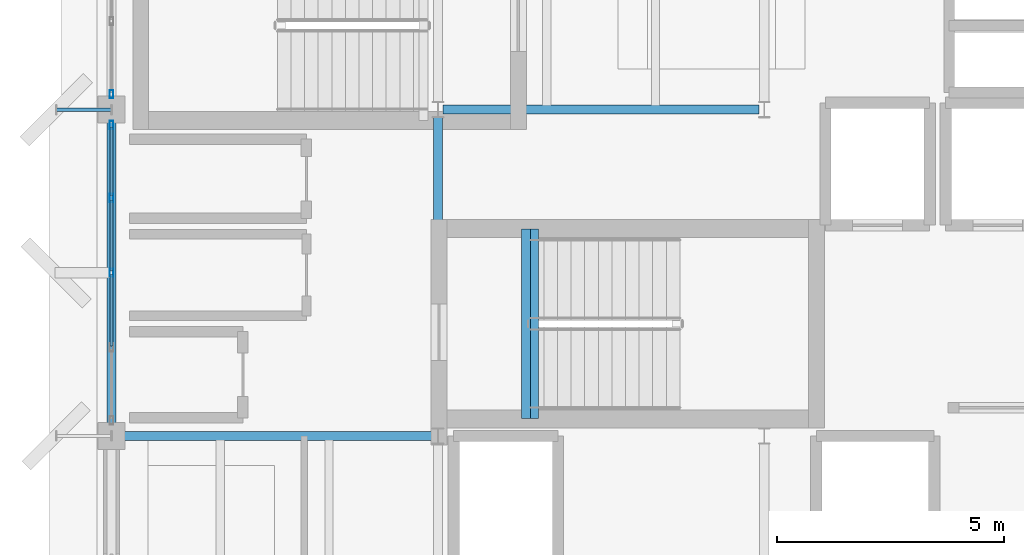
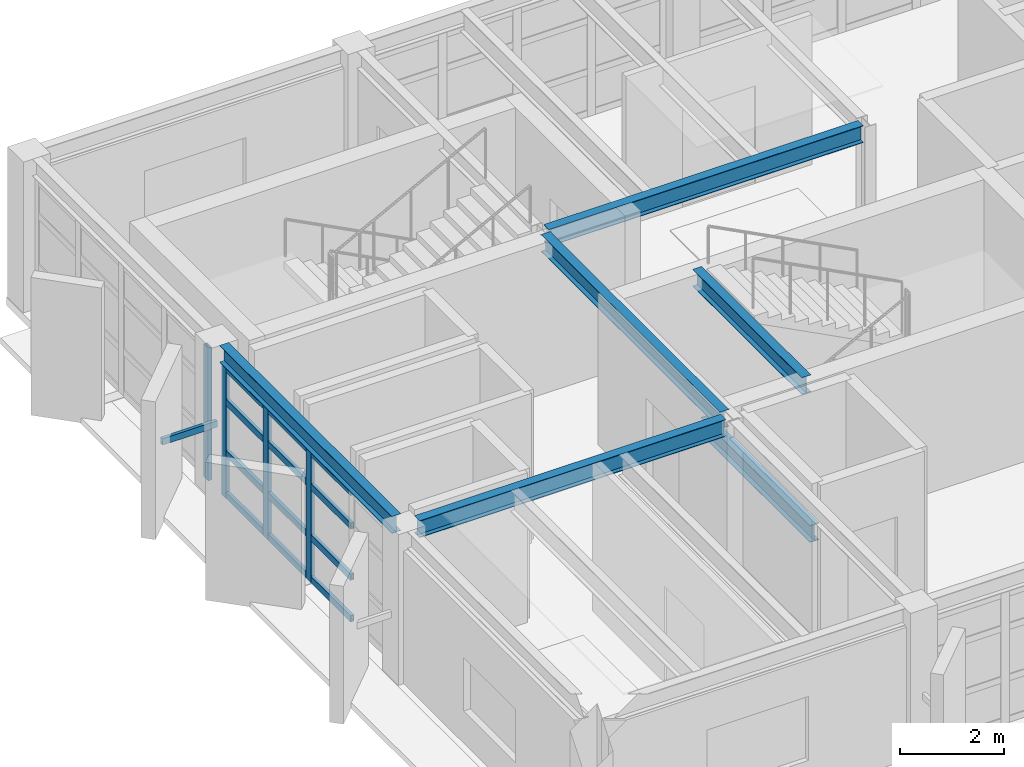
# One storey, part 3 of 13: 17 members, 6 beams, 2 elements without a shape of their own.
"""IFC4 building model written with IfcOpenShell, lengths in metres."""

from ifc_helpers import new_model, si_unit, direction, frame, origin, origin_2d, place, context, subcontext, project, spatial, hollow_rectangle, i_section, extrude, material, layer, layer_set, material_profile, profile_set, type_object, element, aggregate, save


model = new_model("IFC4")

# Units and contexts
model_context = context("Model", 3, precision=1e-05, world=origin(), true_north=direction((0.0, 1.0)))
body_context = subcontext(model_context, "Body", "Model", "MODEL_VIEW")
ifc_project = project(units=[si_unit("LENGTHUNIT", "METRE"), si_unit("AREAUNIT", "SQUARE_METRE"), si_unit("VOLUMEUNIT", "CUBIC_METRE"), si_unit("PLANEANGLEUNIT", "RADIAN"), si_unit("MASSUNIT", "GRAM", prefix="KILO")], contexts=[model_context])

# Site, building, storey
site_placement = place(None, origin())
site = spatial("IfcSite", under=ifc_project, at=site_placement, CompositionType="ELEMENT")
building_placement = place(site_placement, origin())
building = spatial("IfcBuilding", under=site, at=building_placement, Name="Kandorven Conservatory and Botanical Research Centre", CompositionType="ELEMENT")
storey_placement = place(building_placement, frame((0.0, 0.0, 59.39990234375)))
storey = spatial("IfcBuildingStorey", under=building, at=storey_placement, Name="L15", CompositionType="ELEMENT", Elevation=59.39990234375)

# Beams
ifc_material_1 = material(Name="Steel S355 (IS 2062 E350)", Category="steel")
ifc_material_profile_1 = material_profile(ifc_material_1, i_section(OverallWidth=0.199951171875, OverallDepth=0.39990234375, WebThickness=0.008544921875, FlangeThickness=0.012939453125, at=origin_2d()))
ifc_profile_set_1 = profile_set([ifc_material_profile_1], Name="Steel S355 (IS 2062 E350)")
beam_type = type_object("IfcBeamType", Name="Beam_FG-03", PredefinedType="USERDEFINED", material=ifc_profile_set_1)
beam_1_placement = place(storey_placement, frame((6.2900390625, 13.199951171875, 3.330078125), z_axis=(1.0, 0.0, 0.0), x_axis=(0.0, 1.0, 0.0)))
element("IfcBeam", 1, at=beam_1_placement, inside=storey, type_object=beam_type, Name="Primary girder FG-03 TWR L15", ObjectType="GIRDER", PredefinedType="USERDEFINED", context=body_context, shape_type="SweptSolid", body=[
    extrude(i_section(OverallWidth=0.199951171875, OverallDepth=0.39990234375, WebThickness=0.008544921875, FlangeThickness=0.012939453125, at=origin_2d()), origin(), (0.0, 0.0, 1.0), 6.794921875),
])
beam_2_placement = place(storey_placement, frame((13.31494140625, 20.39990234375, 3.330078125), z_axis=(1.0, 0.0, 0.0), x_axis=(0.0, 1.0, 0.0)))
element("IfcBeam", 2, at=beam_2_placement, inside=storey, type_object=beam_type, Name="Primary girder FG-03 TWR L15", ObjectType="GIRDER", PredefinedType="USERDEFINED", context=body_context, shape_type="SweptSolid", body=[
    extrude(i_section(OverallWidth=0.199951171875, OverallDepth=0.39990234375, WebThickness=0.008544921875, FlangeThickness=0.012939453125, at=origin_2d()), origin(), (0.0, 0.0, 1.0), 6.969970703125),
])
beam_3_placement = place(storey_placement, frame((6.0, 13.489990234375, 3.330078125), z_axis=(0.0, 1.0, 0.0), x_axis=(-1.0, 0.0, 0.0)))
element("IfcBeam", 3, at=beam_3_placement, inside=storey, type_object=beam_type, Name="Primary girder FG-03 TWR L15", ObjectType="GIRDER", PredefinedType="USERDEFINED", context=body_context, shape_type="SweptSolid", body=[
    extrude(i_section(OverallWidth=0.199951171875, OverallDepth=0.39990234375, WebThickness=0.008544921875, FlangeThickness=0.012939453125, at=origin_2d()), origin(), (0.0, 0.0, 1.0), 6.6201171875),
])
beam_4_placement = place(storey_placement, frame((13.199951171875, 13.364990234375, 3.330078125), z_axis=(0.0, 1.0, 0.0), x_axis=(-1.0, 0.0, 0.0)))
element("IfcBeam", 4, at=beam_4_placement, inside=storey, type_object=beam_type, Name="Primary girder FG-03 TWR L15", ObjectType="GIRDER", PredefinedType="USERDEFINED", context=body_context, shape_type="SweptSolid", body=[
    extrude(i_section(OverallWidth=0.199951171875, OverallDepth=0.39990234375, WebThickness=0.008544921875, FlangeThickness=0.012939453125, at=origin_2d()), origin(), (0.0, 0.0, 1.0), 6.8701171875),
])
for number, where, z_axis, x_axis, name in (
    (5, (15.320068359375, 13.580078125, -0.199951171875), (0.0, 1.0, 0.0), (-1.0, 0.0, 0.0), "Stair well bottom trimmer girder FG-03 ST-T1 L15"),
    (6, (15.139892578125, 13.580078125, 3.330078125), (0.0, 1.0, 0.0), (-1.0, 0.0, 0.0), "Stair well top header girder FG-03 ST-T1 L15"),
):
    element("IfcBeam", number, at=place(storey_placement, frame(where, z_axis=z_axis, x_axis=x_axis)), inside=storey, type_object=beam_type, Name=name, ObjectType="GIRDER", PredefinedType="USERDEFINED", context=body_context, shape_type="SweptSolid", body=[
        extrude(i_section(OverallWidth=0.199951171875, OverallDepth=0.39990234375, WebThickness=0.008544921875, FlangeThickness=0.012939453125, at=origin_2d()), origin(), (0.0, 0.0, 1.0), 4.18994140625),
    ])

# Curtain wall, members
ifc_material_2 = material(Name="Bronze anodised thermally broken aluminium", Category="aluminium")
ifc_layer = layer(ifc_material_2, 0.179931640625)
ifc_layer_set = layer_set([ifc_layer], Name="Bronze anodised thermally broken aluminium")
curtain_wall_type = type_object("IfcCurtainWallType", Name="CW_Unitised", PredefinedType="USERDEFINED", material=ifc_layer_set)
curtain_wall_1_placement = place(storey_placement, origin())
curtain_wall_1 = element("IfcCurtainWall", 7, at=curtain_wall_1_placement, inside=storey, type_object=curtain_wall_type, Name="Tower laboratory curtain wall CW-TWR-W-L15-2", ObjectType="UNITISED GLAZING", PredefinedType="USERDEFINED")
ifc_material_3 = material(Name="Bronze anodised thermally broken aluminium", Category="aluminium")
ifc_material_profile_2 = material_profile(ifc_material_3, hollow_rectangle(XDim=0.080078125, YDim=0.179931640625, WallThickness=0.006103515625, at=origin_2d()))
ifc_profile_set_2 = profile_set([ifc_material_profile_2], Name="Bronze anodised thermally broken aluminium")
member_type_1 = type_object("IfcMemberType", Name="CW_Mullion", PredefinedType="MULLION", material=ifc_profile_set_2)
member_1_placement = place(storey_placement, frame((6.0, 16.800048828125, 0.0), z_axis=(0.0, 0.0, 1.0), x_axis=(-1.0, 0.0, 0.0)))
member_1 = element("IfcMember", 8, at=member_1_placement, type_object=member_type_1, Name="CW-01 mullion 3", PredefinedType="MULLION", context=body_context, shape_type="SweptSolid", body=[
    extrude(hollow_rectangle(XDim=0.080078125, YDim=0.179931640625, WallThickness=0.006103515625, at=origin_2d()), origin(), (0.0, 0.0, 1.0), 3.110107421875),
])
member_2_placement = place(storey_placement, frame((6.0, 18.449951171875, 0.0), z_axis=(0.0, 0.0, 1.0), x_axis=(-1.0, 0.0, 0.0)))
member_2 = element("IfcMember", 9, at=member_2_placement, type_object=member_type_1, Name="CW-01 mullion 4", PredefinedType="MULLION", context=body_context, shape_type="SweptSolid", body=[
    extrude(hollow_rectangle(XDim=0.080078125, YDim=0.179931640625, WallThickness=0.006103515625, at=origin_2d()), origin(), (0.0, 0.0, 1.0), 3.110107421875),
])
member_3_placement = place(storey_placement, frame((6.0, 20.06005859375, 0.0), z_axis=(0.0, 0.0, 1.0), x_axis=(-1.0, 0.0, 0.0)))
member_3 = element("IfcMember", 10, at=member_3_placement, type_object=member_type_1, Name="CW-01 mullion 5", PredefinedType="MULLION", context=body_context, shape_type="SweptSolid", body=[
    extrude(hollow_rectangle(XDim=0.080078125, YDim=0.179931640625, WallThickness=0.006103515625, at=origin_2d()), origin(), (0.0, 0.0, 1.0), 3.110107421875),
])

# Curtain wall, member
curtain_wall_2_placement = place(storey_placement, origin())
curtain_wall_2 = element("IfcCurtainWall", 11, at=curtain_wall_2_placement, inside=storey, type_object=curtain_wall_type, Name="Tower laboratory curtain wall CW-TWR-W-L15-3", ObjectType="UNITISED GLAZING", PredefinedType="USERDEFINED")
member_4_placement = place(storey_placement, frame((6.0, 20.739990234375, 0.0), z_axis=(0.0, 0.0, 1.0), x_axis=(-1.0, 0.0, 0.0)))
member_4 = element("IfcMember", 12, at=member_4_placement, type_object=member_type_1, Name="CW-01 mullion 1", PredefinedType="MULLION", context=body_context, shape_type="SweptSolid", body=[
    extrude(hollow_rectangle(XDim=0.080078125, YDim=0.179931640625, WallThickness=0.006103515625, at=origin_2d()), origin(), (0.0, 0.0, 1.0), 3.110107421875),
])
aggregate(curtain_wall_2, [member_4])

# Member
ifc_material_4 = material(Name="Bronze anodised thermally broken aluminium", Category="aluminium")
ifc_material_profile_3 = material_profile(ifc_material_4, hollow_rectangle(XDim=0.074951171875, YDim=0.14990234375, WallThickness=0.006103515625, at=origin_2d()))
ifc_profile_set_3 = profile_set([ifc_material_profile_3], Name="Bronze anodised thermally broken aluminium")
member_type_2 = type_object("IfcMemberType", Name="CW_Transom", PredefinedType="USERDEFINED", material=ifc_profile_set_3)
member_5_placement = place(storey_placement, frame((6.0, 15.18994140625, 0.0751953125), z_axis=(0.0, 1.0, 0.0), x_axis=(-1.0, 0.0, 0.0)))
member_5 = element("IfcMember", 13, at=member_5_placement, type_object=member_type_2, Name="CW-01 transom 2.1", ObjectType="TRANSOM", PredefinedType="USERDEFINED", context=body_context, shape_type="SweptSolid", body=[
    extrude(hollow_rectangle(XDim=0.074951171875, YDim=0.14990234375, WallThickness=0.006103515625, at=origin_2d()), origin(), (0.0, 0.0, 1.0), 1.570068359375),
])

member_6_placement = place(storey_placement, frame((6.0, 15.18994140625, 1.050048828125), z_axis=(0.0, 1.0, 0.0), x_axis=(-1.0, 0.0, 0.0)))
member_6 = element("IfcMember", 14, at=member_6_placement, type_object=member_type_2, Name="CW-01 transom 2.2", ObjectType="TRANSOM", PredefinedType="USERDEFINED", context=body_context, shape_type="SweptSolid", body=[
    extrude(hollow_rectangle(XDim=0.074951171875, YDim=0.14990234375, WallThickness=0.006103515625, at=origin_2d()), origin(), (0.0, 0.0, 1.0), 1.570068359375),
])

member_7_placement = place(storey_placement, frame((6.0, 15.18994140625, 2.25), z_axis=(0.0, 1.0, 0.0), x_axis=(-1.0, 0.0, 0.0)))
member_7 = element("IfcMember", 15, at=member_7_placement, type_object=member_type_2, Name="CW-01 transom 2.3", ObjectType="TRANSOM", PredefinedType="USERDEFINED", context=body_context, shape_type="SweptSolid", body=[
    extrude(hollow_rectangle(XDim=0.074951171875, YDim=0.14990234375, WallThickness=0.006103515625, at=origin_2d()), origin(), (0.0, 0.0, 1.0), 1.570068359375),
])

member_8_placement = place(storey_placement, frame((6.0, 15.18994140625, 3.03515625), z_axis=(0.0, 1.0, 0.0), x_axis=(-1.0, 0.0, 0.0)))
member_8 = element("IfcMember", 16, at=member_8_placement, type_object=member_type_2, Name="CW-01 transom 2.4", ObjectType="TRANSOM", PredefinedType="USERDEFINED", context=body_context, shape_type="SweptSolid", body=[
    extrude(hollow_rectangle(XDim=0.074951171875, YDim=0.14990234375, WallThickness=0.006103515625, at=origin_2d()), origin(), (0.0, 0.0, 1.0), 1.570068359375),
])

member_9_placement = place(storey_placement, frame((6.0, 16.840087890625, 0.0751953125), z_axis=(0.0, 1.0, 0.0), x_axis=(-1.0, 0.0, 0.0)))
member_9 = element("IfcMember", 17, at=member_9_placement, type_object=member_type_2, Name="CW-01 transom 3.1", ObjectType="TRANSOM", PredefinedType="USERDEFINED", context=body_context, shape_type="SweptSolid", body=[
    extrude(hollow_rectangle(XDim=0.074951171875, YDim=0.14990234375, WallThickness=0.006103515625, at=origin_2d()), origin(), (0.0, 0.0, 1.0), 1.56982421875),
])

member_10_placement = place(storey_placement, frame((6.0, 16.840087890625, 1.050048828125), z_axis=(0.0, 1.0, 0.0), x_axis=(-1.0, 0.0, 0.0)))
member_10 = element("IfcMember", 18, at=member_10_placement, type_object=member_type_2, Name="CW-01 transom 3.2", ObjectType="TRANSOM", PredefinedType="USERDEFINED", context=body_context, shape_type="SweptSolid", body=[
    extrude(hollow_rectangle(XDim=0.074951171875, YDim=0.14990234375, WallThickness=0.006103515625, at=origin_2d()), origin(), (0.0, 0.0, 1.0), 1.56982421875),
])

member_11_placement = place(storey_placement, frame((6.0, 16.840087890625, 2.25), z_axis=(0.0, 1.0, 0.0), x_axis=(-1.0, 0.0, 0.0)))
member_11 = element("IfcMember", 19, at=member_11_placement, type_object=member_type_2, Name="CW-01 transom 3.3", ObjectType="TRANSOM", PredefinedType="USERDEFINED", context=body_context, shape_type="SweptSolid", body=[
    extrude(hollow_rectangle(XDim=0.074951171875, YDim=0.14990234375, WallThickness=0.006103515625, at=origin_2d()), origin(), (0.0, 0.0, 1.0), 1.56982421875),
])

member_12_placement = place(storey_placement, frame((6.0, 16.840087890625, 3.03515625), z_axis=(0.0, 1.0, 0.0), x_axis=(-1.0, 0.0, 0.0)))
member_12 = element("IfcMember", 20, at=member_12_placement, type_object=member_type_2, Name="CW-01 transom 3.4", ObjectType="TRANSOM", PredefinedType="USERDEFINED", context=body_context, shape_type="SweptSolid", body=[
    extrude(hollow_rectangle(XDim=0.074951171875, YDim=0.14990234375, WallThickness=0.006103515625, at=origin_2d()), origin(), (0.0, 0.0, 1.0), 1.56982421875),
])

member_13_placement = place(storey_placement, frame((6.0, 18.489990234375, 0.0751953125), z_axis=(0.0, 1.0, 0.0), x_axis=(-1.0, 0.0, 0.0)))
member_13 = element("IfcMember", 21, at=member_13_placement, type_object=member_type_2, Name="CW-01 transom 4.1", ObjectType="TRANSOM", PredefinedType="USERDEFINED", context=body_context, shape_type="SweptSolid", body=[
    extrude(hollow_rectangle(XDim=0.074951171875, YDim=0.14990234375, WallThickness=0.006103515625, at=origin_2d()), origin(), (0.0, 0.0, 1.0), 1.530029296875),
])

member_14_placement = place(storey_placement, frame((6.0, 18.489990234375, 1.050048828125), z_axis=(0.0, 1.0, 0.0), x_axis=(-1.0, 0.0, 0.0)))
member_14 = element("IfcMember", 22, at=member_14_placement, type_object=member_type_2, Name="CW-01 transom 4.2", ObjectType="TRANSOM", PredefinedType="USERDEFINED", context=body_context, shape_type="SweptSolid", body=[
    extrude(hollow_rectangle(XDim=0.074951171875, YDim=0.14990234375, WallThickness=0.006103515625, at=origin_2d()), origin(), (0.0, 0.0, 1.0), 1.530029296875),
])

member_15_placement = place(storey_placement, frame((6.0, 18.489990234375, 2.25), z_axis=(0.0, 1.0, 0.0), x_axis=(-1.0, 0.0, 0.0)))
member_15 = element("IfcMember", 23, at=member_15_placement, type_object=member_type_2, Name="CW-01 transom 4.3", ObjectType="TRANSOM", PredefinedType="USERDEFINED", context=body_context, shape_type="SweptSolid", body=[
    extrude(hollow_rectangle(XDim=0.074951171875, YDim=0.14990234375, WallThickness=0.006103515625, at=origin_2d()), origin(), (0.0, 0.0, 1.0), 1.530029296875),
])

member_16_placement = place(storey_placement, frame((6.0, 18.489990234375, 3.03515625), z_axis=(0.0, 1.0, 0.0), x_axis=(-1.0, 0.0, 0.0)))
member_16 = element("IfcMember", 24, at=member_16_placement, type_object=member_type_2, Name="CW-01 transom 4.4", ObjectType="TRANSOM", PredefinedType="USERDEFINED", context=body_context, shape_type="SweptSolid", body=[
    extrude(hollow_rectangle(XDim=0.074951171875, YDim=0.14990234375, WallThickness=0.006103515625, at=origin_2d()), origin(), (0.0, 0.0, 1.0), 1.530029296875),
])

aggregate(curtain_wall_1, [member_1, member_2, member_3, member_5, member_6, member_7, member_8, member_9, member_10, member_11, member_12, member_13, member_14, member_15, member_16])

ifc_material_5 = material(Name="Steel S355 (IS 2062 E350)", Category="steel")
ifc_material_profile_4 = material_profile(ifc_material_5, hollow_rectangle(XDim=0.074951171875, YDim=0.14990234375, WallThickness=0.006103515625, at=origin_2d()))
ifc_profile_set_4 = profile_set([ifc_material_profile_4], Name="Steel S355 (IS 2062 E350)")
member_type_3 = type_object("IfcMemberType", Name="Mem_SF-01", PredefinedType="STRUT", material=ifc_profile_set_4)
member_17_placement = place(storey_placement, frame((6.0, 20.39990234375, 1.5), z_axis=(-1.0, 0.0, 0.0), x_axis=(0.0, -1.0, 0.0)))
element("IfcMember", 25, at=member_17_placement, inside=storey, type_object=member_type_3, Name="Solar fin steel outrigger strut SF-01 #139", PredefinedType="STRUT", context=body_context, shape_type="SweptSolid", body=[
    extrude(hollow_rectangle(XDim=0.074951171875, YDim=0.14990234375, WallThickness=0.006103515625, at=origin_2d()), origin(), (0.0, 0.0, 1.0), 1.219970703125),
])

save(model, "model.ifc")
